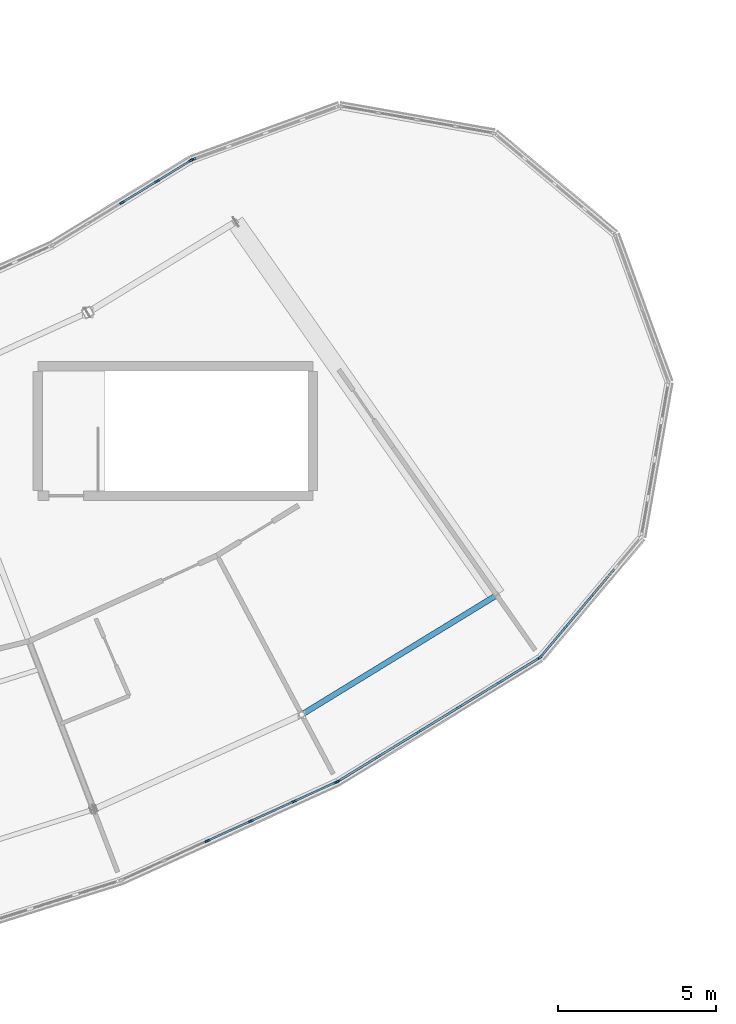
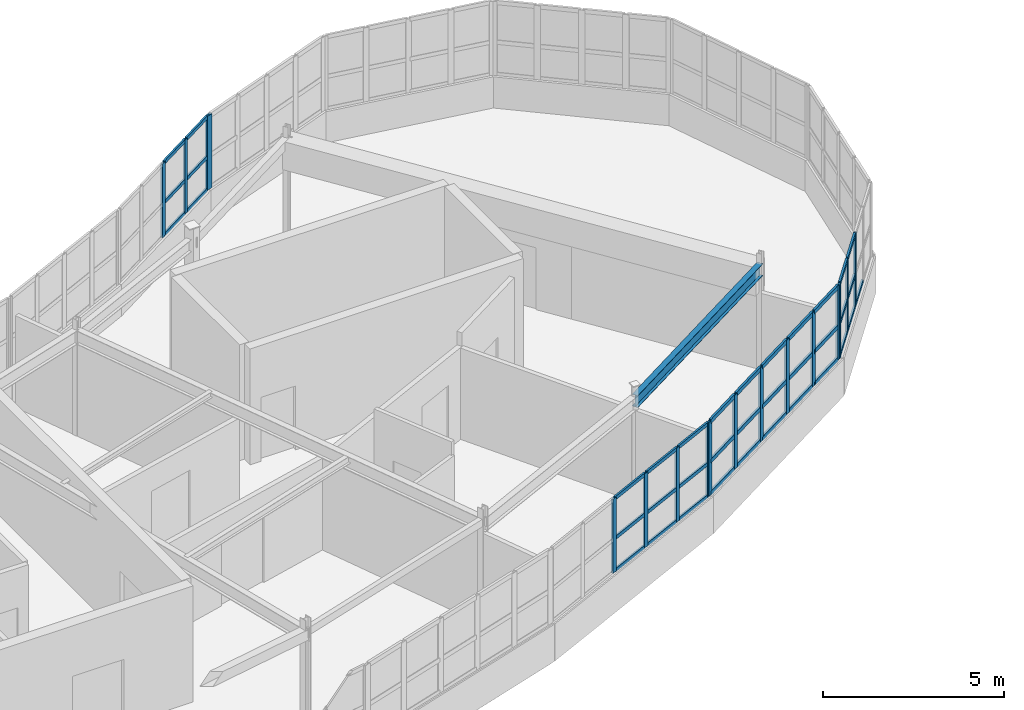
# One storey, part 28 of 79: 54 members, 1 beam, 5 elements without a shape of their own.
"""IFC4 building model written with IfcOpenShell, lengths in metres."""

from ifc_helpers import new_model, si_unit, direction, frame, origin, origin_2d, place, context, subcontext, project, spatial, rectangle, i_section, extrude, material, layer, layer_set, material_profile, profile_set, type_object, element, aggregate, save


model = new_model("IFC4")

# Units and contexts
model_context = context("Model", 3, precision=1e-05, world=origin(), true_north=direction((0.0, 1.0)))
body_context = subcontext(model_context, "Body", "Model", "MODEL_VIEW")
ifc_project = project(units=[si_unit("LENGTHUNIT", "METRE"), si_unit("AREAUNIT", "SQUARE_METRE"), si_unit("VOLUMEUNIT", "CUBIC_METRE"), si_unit("PLANEANGLEUNIT", "RADIAN"), si_unit("MASSUNIT", "GRAM", prefix="KILO")], contexts=[model_context])

# Site, building, storey
site_placement = place(None, origin())
site = spatial("IfcSite", under=ifc_project, at=site_placement, CompositionType="ELEMENT")
building_placement = place(site_placement, origin())
building = spatial("IfcBuilding", under=site, at=building_placement, Name="Tarnwether General Hospital", CompositionType="ELEMENT")
storey_placement = place(building_placement, frame((0.0, 0.0, 18.300048828125)))
storey = spatial("IfcBuildingStorey", under=building, at=storey_placement, Name="L04", CompositionType="ELEMENT", Elevation=18.300048828125)

# Beam
ifc_material_1 = material(Name="Steel Grade 350 (350 MPa)", Category="steel")
ifc_material_profile_1 = material_profile(ifc_material_1, i_section(OverallWidth=0.177978515625, OverallDepth=0.403076171875, WebThickness=0.007568359375, FlangeThickness=0.010986328125, at=origin_2d()), Name="410UB53.7")
ifc_profile_set_1 = profile_set([ifc_material_profile_1], Name="Steel Grade 350 (350 MPa)")
beam_type = type_object("IfcBeamType", Name="BM-SP2", PredefinedType="SPANDREL", material=ifc_profile_set_1)
beam_placement = place(storey_placement, frame((119.79296875, 10.72998046875, 3.33837890625), z_axis=(0.852678430503, 0.522436114902, 0.0), x_axis=(-0.522436114902, 0.852678430503, 0.0)))
element("IfcBeam", 1, at=beam_placement, inside=storey, type_object=beam_type, Name="Curved Ward SE Outer Spandrel BMG-L04-11979_1073-12596_1451-2162", PredefinedType="SPANDREL", context=body_context, shape_type="SweptSolid", body=[
    extrude(i_section(OverallWidth=0.177978515625, OverallDepth=0.403076171875, WebThickness=0.007568359375, FlangeThickness=0.010986328125, at=origin_2d()), origin(), (0.0, 0.0, 1.0), 7.22802734375),
])

# Curtain wall, members
ifc_material_2 = material(Name="Anodised aluminium", Category="aluminium")
ifc_layer_1 = layer(ifc_material_2, 0.159912109375)
ifc_layer_set_1 = layer_set([ifc_layer_1], Name="Anodised aluminium")
curtain_wall_type_1 = type_object("IfcCurtainWallType", Name="CW-09", PredefinedType="NOTDEFINED", material=ifc_layer_set_1)
curtain_wall_1_placement = place(storey_placement, origin())
curtain_wall_1 = element("IfcCurtainWall", 2, at=curtain_wall_1_placement, inside=storey, type_object=curtain_wall_type_1, Name="Curtain Wall CWG-L04-1209_86-0194", PredefinedType="NOTDEFINED")
ifc_material_3 = material(Name="Anodised aluminium", Category="aluminium")
ifc_material_profile_2 = material_profile(ifc_material_3, rectangle(XDim=0.06005859375, YDim=0.159912109375, at=origin_2d()), Name="ALU-MUL-60x160")
ifc_profile_set_2 = profile_set([ifc_material_profile_2], Name="Anodised aluminium")
member_type_1 = type_object("IfcMemberType", Name="CW-ML1", PredefinedType="MULLION", material=ifc_profile_set_2)
member_1_placement = place(storey_placement, frame((120.8916015625, 8.59765625, 1.050048828125), z_axis=(0.0, 0.0, 1.0), x_axis=(0.414694289316, -0.909960793886, 0.0)))
member_1 = element("IfcMember", 3, at=member_1_placement, type_object=member_type_1, Name="CW-09 mullion 1", PredefinedType="MULLION", context=body_context, shape_type="SweptSolid", body=[
    extrude(rectangle(XDim=0.06005859375, YDim=0.159912109375, at=origin_2d()), origin(), (0.0, 0.0, 1.0), 2.489990234375),
])
member_2_placement = place(storey_placement, frame((119.55029296875, 7.986083984375, 1.050048828125), z_axis=(0.0, 0.0, 1.0), x_axis=(0.414694289316, -0.909960793886, 0.0)))
member_2 = element("IfcMember", 4, at=member_2_placement, type_object=member_type_1, Name="CW-09 mullion 2", PredefinedType="MULLION", context=body_context, shape_type="SweptSolid", body=[
    extrude(rectangle(XDim=0.06005859375, YDim=0.159912109375, at=origin_2d()), origin(), (0.0, 0.0, 1.0), 2.489990234375),
])
member_3_placement = place(storey_placement, frame((118.181396484375, 7.3623046875, 1.050048828125), z_axis=(0.0, 0.0, 1.0), x_axis=(0.414694289316, -0.909960793886, 0.0)))
member_3 = element("IfcMember", 5, at=member_3_placement, type_object=member_type_1, Name="CW-09 mullion 3", PredefinedType="MULLION", context=body_context, shape_type="SweptSolid", body=[
    extrude(rectangle(XDim=0.06005859375, YDim=0.159912109375, at=origin_2d()), origin(), (0.0, 0.0, 1.0), 2.489990234375),
])
member_4_placement = place(storey_placement, frame((116.8125, 6.738525390625, 1.050048828125), z_axis=(0.0, 0.0, 1.0), x_axis=(0.414694289316, -0.909960793886, 0.0)))
member_4 = element("IfcMember", 6, at=member_4_placement, type_object=member_type_1, Name="CW-09 mullion 4", PredefinedType="MULLION", context=body_context, shape_type="SweptSolid", body=[
    extrude(rectangle(XDim=0.06005859375, YDim=0.159912109375, at=origin_2d()), origin(), (0.0, 0.0, 1.0), 2.489990234375),
])

ifc_material_4 = material(Name="Anodised aluminium", Category="aluminium")
ifc_layer_2 = layer(ifc_material_4, 0.159912109375)
ifc_layer_set_2 = layer_set([ifc_layer_2], Name="Anodised aluminium")
curtain_wall_type_2 = type_object("IfcCurtainWallType", Name="CW-03", PredefinedType="NOTDEFINED", material=ifc_layer_set_2)
curtain_wall_2_placement = place(storey_placement, origin())
curtain_wall_2 = element("IfcCurtainWall", 7, at=curtain_wall_2_placement, inside=storey, type_object=curtain_wall_type_2, Name="Curtain Wall CWG-L04-1119_256-0202", PredefinedType="NOTDEFINED")
member_5_placement = place(storey_placement, frame((114.113037109375, 26.91552734375, 1.050048828125), z_axis=(0.0, 0.0, 1.0), x_axis=(-0.522512231483, 0.852631789198, 0.0)))
member_5 = element("IfcMember", 8, at=member_5_placement, type_object=member_type_1, Name="CW-03 mullion 3", PredefinedType="MULLION", context=body_context, shape_type="SweptSolid", body=[
    extrude(rectangle(XDim=0.06005859375, YDim=0.159912109375, at=origin_2d()), origin(), (0.0, 0.0, 1.0), 2.489990234375),
])
member_6_placement = place(storey_placement, frame((115.216552734375, 27.591796875, 1.050048828125), z_axis=(0.0, 0.0, 1.0), x_axis=(-0.522512231483, 0.852631789198, 0.0)))
member_6 = element("IfcMember", 9, at=member_6_placement, type_object=member_type_1, Name="CW-03 mullion 4", PredefinedType="MULLION", context=body_context, shape_type="SweptSolid", body=[
    extrude(rectangle(XDim=0.06005859375, YDim=0.159912109375, at=origin_2d()), origin(), (0.0, 0.0, 1.0), 2.489990234375),
])
member_7_placement = place(storey_placement, frame((116.29443359375, 28.25244140625, 1.050048828125), z_axis=(0.0, 0.0, 1.0), x_axis=(-0.522512231483, 0.852631789198, 0.0)))
member_7 = element("IfcMember", 10, at=member_7_placement, type_object=member_type_1, Name="CW-03 mullion 5", PredefinedType="MULLION", context=body_context, shape_type="SweptSolid", body=[
    extrude(rectangle(XDim=0.06005859375, YDim=0.159912109375, at=origin_2d()), origin(), (0.0, 0.0, 1.0), 2.489990234375),
])

curtain_wall_3_placement = place(storey_placement, origin())
curtain_wall_3 = element("IfcCurtainWall", 11, at=curtain_wall_3_placement, inside=storey, type_object=curtain_wall_type_1, Name="Curtain Wall CWG-L04-1273_125-0195", PredefinedType="NOTDEFINED")
ifc_material_5 = material(Name="Anodised aluminium", Category="aluminium")
ifc_material_profile_3 = material_profile(ifc_material_5, rectangle(XDim=0.070068359375, YDim=0.179931640625, at=origin_2d()), Name="ALU-MUL-70x180")
ifc_profile_set_3 = profile_set([ifc_material_profile_3], Name="Anodised aluminium")
member_type_2 = type_object("IfcMemberType", Name="CW-ML2", PredefinedType="MULLION", material=ifc_profile_set_3)
member_8_placement = place(storey_placement, frame((127.30224609375, 12.521728515625, 1.050048828125), z_axis=(0.0, 0.0, 1.0), x_axis=(0.522509056361, -0.852633734977, 0.0)))
member_8 = element("IfcMember", 12, at=member_8_placement, type_object=member_type_2, Name="CW-09 mullion 1", PredefinedType="MULLION", context=body_context, shape_type="SweptSolid", body=[
    extrude(rectangle(XDim=0.070068359375, YDim=0.179931640625, at=origin_2d()), origin(), (0.0, 0.0, 1.0), 2.489990234375),
])
member_9_placement = place(storey_placement, frame((126.04931640625, 11.75390625, 1.050048828125), z_axis=(0.0, 0.0, 1.0), x_axis=(0.522509056361, -0.852633734977, 0.0)))
member_9 = element("IfcMember", 13, at=member_9_placement, type_object=member_type_2, Name="CW-09 mullion 2", PredefinedType="MULLION", context=body_context, shape_type="SweptSolid", body=[
    extrude(rectangle(XDim=0.070068359375, YDim=0.179931640625, at=origin_2d()), origin(), (0.0, 0.0, 1.0), 2.489990234375),
])
member_10_placement = place(storey_placement, frame((124.766845703125, 10.968017578125, 1.050048828125), z_axis=(0.0, 0.0, 1.0), x_axis=(0.522509056361, -0.852633734977, 0.0)))
member_10 = element("IfcMember", 14, at=member_10_placement, type_object=member_type_2, Name="CW-09 mullion 3", PredefinedType="MULLION", context=body_context, shape_type="SweptSolid", body=[
    extrude(rectangle(XDim=0.070068359375, YDim=0.179931640625, at=origin_2d()), origin(), (0.0, 0.0, 1.0), 2.489990234375),
])
member_11_placement = place(storey_placement, frame((123.484130859375, 10.181884765625, 1.050048828125), z_axis=(0.0, 0.0, 1.0), x_axis=(0.522509056361, -0.852633734977, 0.0)))
member_11 = element("IfcMember", 15, at=member_11_placement, type_object=member_type_2, Name="CW-09 mullion 4", PredefinedType="MULLION", context=body_context, shape_type="SweptSolid", body=[
    extrude(rectangle(XDim=0.070068359375, YDim=0.179931640625, at=origin_2d()), origin(), (0.0, 0.0, 1.0), 2.489990234375),
])
member_12_placement = place(storey_placement, frame((122.20166015625, 9.39599609375, 1.050048828125), z_axis=(0.0, 0.0, 1.0), x_axis=(0.522509056361, -0.852633734977, 0.0)))
member_12 = element("IfcMember", 16, at=member_12_placement, type_object=member_type_2, Name="CW-09 mullion 5", PredefinedType="MULLION", context=body_context, shape_type="SweptSolid", body=[
    extrude(rectangle(XDim=0.070068359375, YDim=0.179931640625, at=origin_2d()), origin(), (0.0, 0.0, 1.0), 2.489990234375),
])
member_13_placement = place(storey_placement, frame((120.94873046875, 8.628173828125, 1.050048828125), z_axis=(0.0, 0.0, 1.0), x_axis=(0.522509056361, -0.852633734977, 0.0)))
member_13 = element("IfcMember", 17, at=member_13_placement, type_object=member_type_2, Name="CW-09 mullion 6", PredefinedType="MULLION", context=body_context, shape_type="SweptSolid", body=[
    extrude(rectangle(XDim=0.070068359375, YDim=0.179931640625, at=origin_2d()), origin(), (0.0, 0.0, 1.0), 2.489990234375),
])

curtain_wall_4_placement = place(storey_placement, origin())
curtain_wall_4 = element("IfcCurtainWall", 18, at=curtain_wall_4_placement, inside=storey, type_object=curtain_wall_type_2, Name="Curtain Wall CWG-L04-1305_163-0196", PredefinedType="NOTDEFINED")
ifc_material_6 = material(Name="Anodised aluminium", Category="aluminium")
ifc_material_profile_4 = material_profile(ifc_material_6, rectangle(XDim=0.06494140625, YDim=0.169921875, at=origin_2d()), Name="ALU-MUL-65x170")
ifc_profile_set_4 = profile_set([ifc_material_profile_4], Name="Anodised aluminium")
member_type_3 = type_object("IfcMemberType", Name="CW-ML3", PredefinedType="MULLION", material=ifc_profile_set_4)
member_14_placement = place(storey_placement, frame((128.929443359375, 14.443603515625, 1.050048828125), z_axis=(0.0, 0.0, 1.0), x_axis=(0.765990176896, -0.64285227611, 0.0)))
member_14 = element("IfcMember", 19, at=member_14_placement, type_object=member_type_3, Name="CW-03 mullion 3", PredefinedType="MULLION", context=body_context, shape_type="SweptSolid", body=[
    extrude(rectangle(XDim=0.06494140625, YDim=0.169921875, at=origin_2d()), origin(), (0.0, 0.0, 1.0), 2.489990234375),
])
member_15_placement = place(storey_placement, frame((128.130859375, 13.49169921875, 1.050048828125), z_axis=(0.0, 0.0, 1.0), x_axis=(0.765990176896, -0.64285227611, 0.0)))
member_15 = element("IfcMember", 20, at=member_15_placement, type_object=member_type_3, Name="CW-03 mullion 4", PredefinedType="MULLION", context=body_context, shape_type="SweptSolid", body=[
    extrude(rectangle(XDim=0.06494140625, YDim=0.169921875, at=origin_2d()), origin(), (0.0, 0.0, 1.0), 2.489990234375),
])
member_16_placement = place(storey_placement, frame((127.352783203125, 12.56494140625, 1.050048828125), z_axis=(0.0, 0.0, 1.0), x_axis=(0.765990176896, -0.64285227611, 0.0)))
member_16 = element("IfcMember", 21, at=member_16_placement, type_object=member_type_3, Name="CW-03 mullion 5", PredefinedType="MULLION", context=body_context, shape_type="SweptSolid", body=[
    extrude(rectangle(XDim=0.06494140625, YDim=0.169921875, at=origin_2d()), origin(), (0.0, 0.0, 1.0), 2.489990234375),
])

# Curtain wall, member
curtain_wall_5_placement = place(storey_placement, origin())
curtain_wall_5 = element("IfcCurtainWall", 22, at=curtain_wall_5_placement, inside=storey, type_object=curtain_wall_type_2, Name="Curtain Wall CWG-L04-1163_283-0201", PredefinedType="NOTDEFINED")
ifc_material_7 = material(Name="Anodised aluminium", Category="aluminium")
ifc_material_profile_5 = material_profile(ifc_material_7, rectangle(XDim=0.080078125, YDim=0.199951171875, at=origin_2d()), Name="ALU-MUL-80x200")
ifc_profile_set_5 = profile_set([ifc_material_profile_5], Name="Anodised aluminium")
member_type_4 = type_object("IfcMemberType", Name="CW-ML4", PredefinedType="MULLION", material=ifc_profile_set_5)
member_17_placement = place(storey_placement, frame((116.357666015625, 28.28173828125, 1.050048828125), z_axis=(0.0, 0.0, 1.0), x_axis=(-0.342130850834, 0.939652319163, 0.0)))
member_17 = element("IfcMember", 23, at=member_17_placement, type_object=member_type_4, Name="CW-03 mullion 1", PredefinedType="MULLION", context=body_context, shape_type="SweptSolid", body=[
    extrude(rectangle(XDim=0.080078125, YDim=0.199951171875, at=origin_2d()), origin(), (0.0, 0.0, 1.0), 2.489990234375),
])
aggregate(curtain_wall_5, [member_17])

# Member
ifc_material_8 = material(Name="Anodised aluminium", Category="aluminium")
ifc_material_profile_6 = material_profile(ifc_material_8, rectangle(XDim=0.06005859375, YDim=0.1201171875, at=origin_2d()), Name="ALU-TRN-60x120")
ifc_profile_set_6 = profile_set([ifc_material_profile_6], Name="Anodised aluminium")
member_type_5 = type_object("IfcMemberType", Name="CW-TR1", PredefinedType="USERDEFINED", material=ifc_profile_set_6)
member_18_placement = place(storey_placement, frame((120.864501953125, 8.585205078125, 1.079833984375), z_axis=(-0.909934488555, -0.414752006069, 0.0), x_axis=(0.414752006069, -0.909934488555, 0.0)))
member_18 = element("IfcMember", 24, at=member_18_placement, type_object=member_type_5, Name="CW-09 transom 1.1", ObjectType="TRANSOM", PredefinedType="USERDEFINED", context=body_context, shape_type="SweptSolid", body=[
    extrude(rectangle(XDim=0.06005859375, YDim=0.1201171875, at=origin_2d()), origin(), (0.0, 0.0, 1.0), 1.41455078125),
])

member_19_placement = place(storey_placement, frame((120.864501953125, 8.585205078125, 2.17041015625), z_axis=(-0.909934488555, -0.414752006069, 0.0), x_axis=(0.414752006069, -0.909934488555, 0.0)))
member_19 = element("IfcMember", 25, at=member_19_placement, type_object=member_type_5, Name="CW-09 transom 1.2", ObjectType="TRANSOM", PredefinedType="USERDEFINED", context=body_context, shape_type="SweptSolid", body=[
    extrude(rectangle(XDim=0.06005859375, YDim=0.1201171875, at=origin_2d()), origin(), (0.0, 0.0, 1.0), 1.41455078125),
])

member_20_placement = place(storey_placement, frame((120.864501953125, 8.585205078125, 3.510009765625), z_axis=(-0.909934488555, -0.414752006069, 0.0), x_axis=(0.414752006069, -0.909934488555, 0.0)))
member_20 = element("IfcMember", 26, at=member_20_placement, type_object=member_type_5, Name="CW-09 transom 1.3", ObjectType="TRANSOM", PredefinedType="USERDEFINED", context=body_context, shape_type="SweptSolid", body=[
    extrude(rectangle(XDim=0.06005859375, YDim=0.1201171875, at=origin_2d()), origin(), (0.0, 0.0, 1.0), 1.41455078125),
])

member_21_placement = place(storey_placement, frame((119.52294921875, 7.973876953125, 1.079833984375), z_axis=(-0.909908604213, -0.41480878966, 0.0), x_axis=(0.41480878966, -0.909908604213, 0.0)))
member_21 = element("IfcMember", 27, at=member_21_placement, type_object=member_type_5, Name="CW-09 transom 2.1", ObjectType="TRANSOM", PredefinedType="USERDEFINED", context=body_context, shape_type="SweptSolid", body=[
    extrude(rectangle(XDim=0.06005859375, YDim=0.1201171875, at=origin_2d()), origin(), (0.0, 0.0, 1.0), 1.4443359375),
])

member_22_placement = place(storey_placement, frame((119.52294921875, 7.973876953125, 2.17041015625), z_axis=(-0.909908604213, -0.41480878966, 0.0), x_axis=(0.41480878966, -0.909908604213, 0.0)))
member_22 = element("IfcMember", 28, at=member_22_placement, type_object=member_type_5, Name="CW-09 transom 2.2", ObjectType="TRANSOM", PredefinedType="USERDEFINED", context=body_context, shape_type="SweptSolid", body=[
    extrude(rectangle(XDim=0.06005859375, YDim=0.1201171875, at=origin_2d()), origin(), (0.0, 0.0, 1.0), 1.4443359375),
])

member_23_placement = place(storey_placement, frame((119.52294921875, 7.973876953125, 3.510009765625), z_axis=(-0.909908604213, -0.41480878966, 0.0), x_axis=(0.41480878966, -0.909908604213, 0.0)))
member_23 = element("IfcMember", 29, at=member_23_placement, type_object=member_type_5, Name="CW-09 transom 2.3", ObjectType="TRANSOM", PredefinedType="USERDEFINED", context=body_context, shape_type="SweptSolid", body=[
    extrude(rectangle(XDim=0.06005859375, YDim=0.1201171875, at=origin_2d()), origin(), (0.0, 0.0, 1.0), 1.4443359375),
])

member_24_placement = place(storey_placement, frame((118.154052734375, 7.349853515625, 1.079833984375), z_axis=(-0.909972397692, -0.414668826219, 0.0), x_axis=(0.414668826219, -0.909972397692, 0.0)))
member_24 = element("IfcMember", 30, at=member_24_placement, type_object=member_type_5, Name="CW-09 transom 3.1", ObjectType="TRANSOM", PredefinedType="USERDEFINED", context=body_context, shape_type="SweptSolid", body=[
    extrude(rectangle(XDim=0.06005859375, YDim=0.1201171875, at=origin_2d()), origin(), (0.0, 0.0, 1.0), 1.4443359375),
])

member_25_placement = place(storey_placement, frame((118.154052734375, 7.349853515625, 2.17041015625), z_axis=(-0.909972397692, -0.414668826219, 0.0), x_axis=(0.414668826219, -0.909972397692, 0.0)))
member_25 = element("IfcMember", 31, at=member_25_placement, type_object=member_type_5, Name="CW-09 transom 3.2", ObjectType="TRANSOM", PredefinedType="USERDEFINED", context=body_context, shape_type="SweptSolid", body=[
    extrude(rectangle(XDim=0.06005859375, YDim=0.1201171875, at=origin_2d()), origin(), (0.0, 0.0, 1.0), 1.4443359375),
])

member_26_placement = place(storey_placement, frame((118.154052734375, 7.349853515625, 3.510009765625), z_axis=(-0.909972397692, -0.414668826219, 0.0), x_axis=(0.414668826219, -0.909972397692, 0.0)))
member_26 = element("IfcMember", 32, at=member_26_placement, type_object=member_type_5, Name="CW-09 transom 3.3", ObjectType="TRANSOM", PredefinedType="USERDEFINED", context=body_context, shape_type="SweptSolid", body=[
    extrude(rectangle(XDim=0.06005859375, YDim=0.1201171875, at=origin_2d()), origin(), (0.0, 0.0, 1.0), 1.4443359375),
])

aggregate(curtain_wall_1, [member_1, member_2, member_3, member_4, member_18, member_19, member_20, member_21, member_22, member_23, member_24, member_25, member_26])

member_27_placement = place(storey_placement, frame((114.138671875, 26.93115234375, 1.079833984375), z_axis=(0.852567134861, 0.522617719328, 0.0), x_axis=(-0.522617719328, 0.852567134861, 0.0)))
member_27 = element("IfcMember", 33, at=member_27_placement, type_object=member_type_5, Name="CW-03 transom 3.1", ObjectType="TRANSOM", PredefinedType="USERDEFINED", context=body_context, shape_type="SweptSolid", body=[
    extrude(rectangle(XDim=0.06005859375, YDim=0.1201171875, at=origin_2d()), origin(), (0.0, 0.0, 1.0), 1.234130859375),
])

member_28_placement = place(storey_placement, frame((114.138671875, 26.93115234375, 2.17041015625), z_axis=(0.852567134861, 0.522617719328, 0.0), x_axis=(-0.522617719328, 0.852567134861, 0.0)))
member_28 = element("IfcMember", 34, at=member_28_placement, type_object=member_type_5, Name="CW-03 transom 3.2", ObjectType="TRANSOM", PredefinedType="USERDEFINED", context=body_context, shape_type="SweptSolid", body=[
    extrude(rectangle(XDim=0.06005859375, YDim=0.1201171875, at=origin_2d()), origin(), (0.0, 0.0, 1.0), 1.234130859375),
])

member_29_placement = place(storey_placement, frame((114.138671875, 26.93115234375, 3.510009765625), z_axis=(0.852567134861, 0.522617719328, 0.0), x_axis=(-0.522617719328, 0.852567134861, 0.0)))
member_29 = element("IfcMember", 35, at=member_29_placement, type_object=member_type_5, Name="CW-03 transom 3.3", ObjectType="TRANSOM", PredefinedType="USERDEFINED", context=body_context, shape_type="SweptSolid", body=[
    extrude(rectangle(XDim=0.06005859375, YDim=0.1201171875, at=origin_2d()), origin(), (0.0, 0.0, 1.0), 1.234130859375),
])

member_30_placement = place(storey_placement, frame((115.2421875, 27.607421875, 1.079833984375), z_axis=(0.852624564874, 0.5225240199, 0.0), x_axis=(-0.5225240199, 0.852624564874, 0.0)))
member_30 = element("IfcMember", 36, at=member_30_placement, type_object=member_type_5, Name="CW-03 transom 4.1", ObjectType="TRANSOM", PredefinedType="USERDEFINED", context=body_context, shape_type="SweptSolid", body=[
    extrude(rectangle(XDim=0.06005859375, YDim=0.1201171875, at=origin_2d()), origin(), (0.0, 0.0, 1.0), 1.2041015625),
])

member_31_placement = place(storey_placement, frame((115.2421875, 27.607421875, 2.17041015625), z_axis=(0.852624564874, 0.5225240199, 0.0), x_axis=(-0.5225240199, 0.852624564874, 0.0)))
member_31 = element("IfcMember", 37, at=member_31_placement, type_object=member_type_5, Name="CW-03 transom 4.2", ObjectType="TRANSOM", PredefinedType="USERDEFINED", context=body_context, shape_type="SweptSolid", body=[
    extrude(rectangle(XDim=0.06005859375, YDim=0.1201171875, at=origin_2d()), origin(), (0.0, 0.0, 1.0), 1.2041015625),
])

member_32_placement = place(storey_placement, frame((115.2421875, 27.607421875, 3.510009765625), z_axis=(0.852624564874, 0.5225240199, 0.0), x_axis=(-0.5225240199, 0.852624564874, 0.0)))
member_32 = element("IfcMember", 38, at=member_32_placement, type_object=member_type_5, Name="CW-03 transom 4.3", ObjectType="TRANSOM", PredefinedType="USERDEFINED", context=body_context, shape_type="SweptSolid", body=[
    extrude(rectangle(XDim=0.06005859375, YDim=0.1201171875, at=origin_2d()), origin(), (0.0, 0.0, 1.0), 1.2041015625),
])

aggregate(curtain_wall_2, [member_5, member_6, member_7, member_27, member_28, member_29, member_30, member_31, member_32])

ifc_material_9 = material(Name="Anodised aluminium", Category="aluminium")
ifc_material_profile_7 = material_profile(ifc_material_9, rectangle(XDim=0.070068359375, YDim=0.139892578125, at=origin_2d()), Name="ALU-TRN-70x140")
ifc_profile_set_7 = profile_set([ifc_material_profile_7], Name="Anodised aluminium")
member_type_6 = type_object("IfcMemberType", Name="CW-TR2", PredefinedType="USERDEFINED", material=ifc_profile_set_7)
member_33_placement = place(storey_placement, frame((127.272216796875, 12.50341796875, 1.0849609375), z_axis=(-0.852573664934, -0.52260706641, 0.0), x_axis=(0.52260706641, -0.852573664934, 0.0)))
member_33 = element("IfcMember", 39, at=member_33_placement, type_object=member_type_6, Name="CW-09 transom 1.1", ObjectType="TRANSOM", PredefinedType="USERDEFINED", context=body_context, shape_type="SweptSolid", body=[
    extrude(rectangle(XDim=0.070068359375, YDim=0.139892578125, at=origin_2d()), origin(), (0.0, 0.0, 1.0), 1.399169921875),
])

member_34_placement = place(storey_placement, frame((127.272216796875, 12.50341796875, 2.17041015625), z_axis=(-0.852573664934, -0.52260706641, 0.0), x_axis=(0.52260706641, -0.852573664934, 0.0)))
member_34 = element("IfcMember", 40, at=member_34_placement, type_object=member_type_6, Name="CW-09 transom 1.2", ObjectType="TRANSOM", PredefinedType="USERDEFINED", context=body_context, shape_type="SweptSolid", body=[
    extrude(rectangle(XDim=0.070068359375, YDim=0.139892578125, at=origin_2d()), origin(), (0.0, 0.0, 1.0), 1.399169921875),
])

member_35_placement = place(storey_placement, frame((127.272216796875, 12.50341796875, 3.5048828125), z_axis=(-0.852573664934, -0.52260706641, 0.0), x_axis=(0.52260706641, -0.852573664934, 0.0)))
member_35 = element("IfcMember", 41, at=member_35_placement, type_object=member_type_6, Name="CW-09 transom 1.3", ObjectType="TRANSOM", PredefinedType="USERDEFINED", context=body_context, shape_type="SweptSolid", body=[
    extrude(rectangle(XDim=0.070068359375, YDim=0.139892578125, at=origin_2d()), origin(), (0.0, 0.0, 1.0), 1.399169921875),
])

member_36_placement = place(storey_placement, frame((126.01953125, 11.735595703125, 1.0849609375), z_axis=(-0.852679532957, -0.522434315561, 0.0), x_axis=(0.522434315561, -0.852679532957, 0.0)))
member_36 = element("IfcMember", 42, at=member_36_placement, type_object=member_type_6, Name="CW-09 transom 2.1", ObjectType="TRANSOM", PredefinedType="USERDEFINED", context=body_context, shape_type="SweptSolid", body=[
    extrude(rectangle(XDim=0.070068359375, YDim=0.139892578125, at=origin_2d()), origin(), (0.0, 0.0, 1.0), 1.43408203125),
])

member_37_placement = place(storey_placement, frame((126.01953125, 11.735595703125, 2.17041015625), z_axis=(-0.852679532957, -0.522434315561, 0.0), x_axis=(0.522434315561, -0.852679532957, 0.0)))
member_37 = element("IfcMember", 43, at=member_37_placement, type_object=member_type_6, Name="CW-09 transom 2.2", ObjectType="TRANSOM", PredefinedType="USERDEFINED", context=body_context, shape_type="SweptSolid", body=[
    extrude(rectangle(XDim=0.070068359375, YDim=0.139892578125, at=origin_2d()), origin(), (0.0, 0.0, 1.0), 1.43408203125),
])

member_38_placement = place(storey_placement, frame((126.01953125, 11.735595703125, 3.5048828125), z_axis=(-0.852679532957, -0.522434315561, 0.0), x_axis=(0.522434315561, -0.852679532957, 0.0)))
member_38 = element("IfcMember", 44, at=member_38_placement, type_object=member_type_6, Name="CW-09 transom 2.3", ObjectType="TRANSOM", PredefinedType="USERDEFINED", context=body_context, shape_type="SweptSolid", body=[
    extrude(rectangle(XDim=0.070068359375, YDim=0.139892578125, at=origin_2d()), origin(), (0.0, 0.0, 1.0), 1.43408203125),
])

member_39_placement = place(storey_placement, frame((124.737060546875, 10.94970703125, 1.0849609375), z_axis=(-0.85260369875, -0.522558066513, 0.0), x_axis=(0.522558066513, -0.85260369875, 0.0)))
member_39 = element("IfcMember", 45, at=member_39_placement, type_object=member_type_6, Name="CW-09 transom 3.1", ObjectType="TRANSOM", PredefinedType="USERDEFINED", context=body_context, shape_type="SweptSolid", body=[
    extrude(rectangle(XDim=0.070068359375, YDim=0.139892578125, at=origin_2d()), origin(), (0.0, 0.0, 1.0), 1.434326171875),
])

member_40_placement = place(storey_placement, frame((124.737060546875, 10.94970703125, 2.17041015625), z_axis=(-0.85260369875, -0.522558066513, 0.0), x_axis=(0.522558066513, -0.85260369875, 0.0)))
member_40 = element("IfcMember", 46, at=member_40_placement, type_object=member_type_6, Name="CW-09 transom 3.2", ObjectType="TRANSOM", PredefinedType="USERDEFINED", context=body_context, shape_type="SweptSolid", body=[
    extrude(rectangle(XDim=0.070068359375, YDim=0.139892578125, at=origin_2d()), origin(), (0.0, 0.0, 1.0), 1.434326171875),
])

member_41_placement = place(storey_placement, frame((124.737060546875, 10.94970703125, 3.5048828125), z_axis=(-0.85260369875, -0.522558066513, 0.0), x_axis=(0.522558066513, -0.85260369875, 0.0)))
member_41 = element("IfcMember", 47, at=member_41_placement, type_object=member_type_6, Name="CW-09 transom 3.3", ObjectType="TRANSOM", PredefinedType="USERDEFINED", context=body_context, shape_type="SweptSolid", body=[
    extrude(rectangle(XDim=0.070068359375, YDim=0.139892578125, at=origin_2d()), origin(), (0.0, 0.0, 1.0), 1.434326171875),
])

member_42_placement = place(storey_placement, frame((123.454345703125, 10.163818359375, 1.0849609375), z_axis=(-0.85260369875, -0.522558066513, 0.0), x_axis=(0.522558066513, -0.85260369875, 0.0)))
member_42 = element("IfcMember", 48, at=member_42_placement, type_object=member_type_6, Name="CW-09 transom 4.1", ObjectType="TRANSOM", PredefinedType="USERDEFINED", context=body_context, shape_type="SweptSolid", body=[
    extrude(rectangle(XDim=0.070068359375, YDim=0.139892578125, at=origin_2d()), origin(), (0.0, 0.0, 1.0), 1.434326171875),
])

member_43_placement = place(storey_placement, frame((123.454345703125, 10.163818359375, 2.17041015625), z_axis=(-0.85260369875, -0.522558066513, 0.0), x_axis=(0.522558066513, -0.85260369875, 0.0)))
member_43 = element("IfcMember", 49, at=member_43_placement, type_object=member_type_6, Name="CW-09 transom 4.2", ObjectType="TRANSOM", PredefinedType="USERDEFINED", context=body_context, shape_type="SweptSolid", body=[
    extrude(rectangle(XDim=0.070068359375, YDim=0.139892578125, at=origin_2d()), origin(), (0.0, 0.0, 1.0), 1.434326171875),
])

member_44_placement = place(storey_placement, frame((123.454345703125, 10.163818359375, 3.5048828125), z_axis=(-0.85260369875, -0.522558066513, 0.0), x_axis=(0.522558066513, -0.85260369875, 0.0)))
member_44 = element("IfcMember", 50, at=member_44_placement, type_object=member_type_6, Name="CW-09 transom 4.3", ObjectType="TRANSOM", PredefinedType="USERDEFINED", context=body_context, shape_type="SweptSolid", body=[
    extrude(rectangle(XDim=0.070068359375, YDim=0.139892578125, at=origin_2d()), origin(), (0.0, 0.0, 1.0), 1.434326171875),
])

member_45_placement = place(storey_placement, frame((122.171875, 9.377685546875, 1.0849609375), z_axis=(-0.852621311554, -0.522529328444, 0.0), x_axis=(0.522529328444, -0.852621311554, 0.0)))
member_45 = element("IfcMember", 51, at=member_45_placement, type_object=member_type_6, Name="CW-09 transom 5.1", ObjectType="TRANSOM", PredefinedType="USERDEFINED", context=body_context, shape_type="SweptSolid", body=[
    extrude(rectangle(XDim=0.070068359375, YDim=0.139892578125, at=origin_2d()), origin(), (0.0, 0.0, 1.0), 1.3994140625),
])

member_46_placement = place(storey_placement, frame((122.171875, 9.377685546875, 2.17041015625), z_axis=(-0.852621311554, -0.522529328444, 0.0), x_axis=(0.522529328444, -0.852621311554, 0.0)))
member_46 = element("IfcMember", 52, at=member_46_placement, type_object=member_type_6, Name="CW-09 transom 5.2", ObjectType="TRANSOM", PredefinedType="USERDEFINED", context=body_context, shape_type="SweptSolid", body=[
    extrude(rectangle(XDim=0.070068359375, YDim=0.139892578125, at=origin_2d()), origin(), (0.0, 0.0, 1.0), 1.3994140625),
])

member_47_placement = place(storey_placement, frame((122.171875, 9.377685546875, 3.5048828125), z_axis=(-0.852621311554, -0.522529328444, 0.0), x_axis=(0.522529328444, -0.852621311554, 0.0)))
member_47 = element("IfcMember", 53, at=member_47_placement, type_object=member_type_6, Name="CW-09 transom 5.3", ObjectType="TRANSOM", PredefinedType="USERDEFINED", context=body_context, shape_type="SweptSolid", body=[
    extrude(rectangle(XDim=0.070068359375, YDim=0.139892578125, at=origin_2d()), origin(), (0.0, 0.0, 1.0), 1.3994140625),
])

aggregate(curtain_wall_3, [member_8, member_9, member_10, member_11, member_12, member_13, member_33, member_34, member_35, member_36, member_37, member_38, member_39, member_40, member_41, member_42, member_43, member_44, member_45, member_46, member_47])

ifc_material_10 = material(Name="Anodised aluminium", Category="aluminium")
ifc_material_profile_8 = material_profile(ifc_material_10, rectangle(XDim=0.06494140625, YDim=0.1298828125, at=origin_2d()), Name="ALU-TRN-65x130")
ifc_profile_set_8 = profile_set([ifc_material_profile_8], Name="Anodised aluminium")
member_type_7 = type_object("IfcMemberType", Name="CW-TR3", PredefinedType="USERDEFINED", material=ifc_profile_set_8)
member_48_placement = place(storey_placement, frame((129.707275390625, 15.370361328125, 1.08251953125), z_axis=(-0.642832141434, -0.766007074341, 0.0), x_axis=(0.766007074341, -0.642832141434, 0.0)))
member_48 = element("IfcMember", 54, at=member_48_placement, type_object=member_type_7, Name="CW-03 transom 2.1", ObjectType="TRANSOM", PredefinedType="USERDEFINED", context=body_context, shape_type="SweptSolid", body=[
    extrude(rectangle(XDim=0.06494140625, YDim=0.1298828125, at=origin_2d()), origin(), (0.0, 0.0, 1.0), 1.17724609375),
])

member_49_placement = place(storey_placement, frame((128.90869140625, 14.418701171875, 1.08251953125), z_axis=(-0.642851701012, -0.765990659542, 0.0), x_axis=(0.765990659542, -0.642851701012, 0.0)))
member_49 = element("IfcMember", 55, at=member_49_placement, type_object=member_type_7, Name="CW-03 transom 3.1", ObjectType="TRANSOM", PredefinedType="USERDEFINED", context=body_context, shape_type="SweptSolid", body=[
    extrude(rectangle(XDim=0.06494140625, YDim=0.1298828125, at=origin_2d()), origin(), (0.0, 0.0, 1.0), 1.177734375),
])

member_50_placement = place(storey_placement, frame((128.90869140625, 14.418701171875, 2.17041015625), z_axis=(-0.642851701012, -0.765990659542, 0.0), x_axis=(0.765990659542, -0.642851701012, 0.0)))
member_50 = element("IfcMember", 56, at=member_50_placement, type_object=member_type_7, Name="CW-03 transom 3.2", ObjectType="TRANSOM", PredefinedType="USERDEFINED", context=body_context, shape_type="SweptSolid", body=[
    extrude(rectangle(XDim=0.06494140625, YDim=0.1298828125, at=origin_2d()), origin(), (0.0, 0.0, 1.0), 1.177734375),
])

member_51_placement = place(storey_placement, frame((128.90869140625, 14.418701171875, 3.507568359375), z_axis=(-0.642851701012, -0.765990659542, 0.0), x_axis=(0.765990659542, -0.642851701012, 0.0)))
member_51 = element("IfcMember", 57, at=member_51_placement, type_object=member_type_7, Name="CW-03 transom 3.3", ObjectType="TRANSOM", PredefinedType="USERDEFINED", context=body_context, shape_type="SweptSolid", body=[
    extrude(rectangle(XDim=0.06494140625, YDim=0.1298828125, at=origin_2d()), origin(), (0.0, 0.0, 1.0), 1.177734375),
])

member_52_placement = place(storey_placement, frame((128.10986328125, 13.466796875, 1.08251953125), z_axis=(-0.64290699353, -0.765944252325, 0.0), x_axis=(0.765944252325, -0.64290699353, 0.0)))
member_52 = element("IfcMember", 58, at=member_52_placement, type_object=member_type_7, Name="CW-03 transom 4.1", ObjectType="TRANSOM", PredefinedType="USERDEFINED", context=body_context, shape_type="SweptSolid", body=[
    extrude(rectangle(XDim=0.06494140625, YDim=0.1298828125, at=origin_2d()), origin(), (0.0, 0.0, 1.0), 1.14501953125),
])

member_53_placement = place(storey_placement, frame((128.10986328125, 13.466796875, 2.17041015625), z_axis=(-0.64290699353, -0.765944252325, 0.0), x_axis=(0.765944252325, -0.64290699353, 0.0)))
member_53 = element("IfcMember", 59, at=member_53_placement, type_object=member_type_7, Name="CW-03 transom 4.2", ObjectType="TRANSOM", PredefinedType="USERDEFINED", context=body_context, shape_type="SweptSolid", body=[
    extrude(rectangle(XDim=0.06494140625, YDim=0.1298828125, at=origin_2d()), origin(), (0.0, 0.0, 1.0), 1.14501953125),
])

member_54_placement = place(storey_placement, frame((128.10986328125, 13.466796875, 3.507568359375), z_axis=(-0.64290699353, -0.765944252325, 0.0), x_axis=(0.765944252325, -0.64290699353, 0.0)))
member_54 = element("IfcMember", 60, at=member_54_placement, type_object=member_type_7, Name="CW-03 transom 4.3", ObjectType="TRANSOM", PredefinedType="USERDEFINED", context=body_context, shape_type="SweptSolid", body=[
    extrude(rectangle(XDim=0.06494140625, YDim=0.1298828125, at=origin_2d()), origin(), (0.0, 0.0, 1.0), 1.14501953125),
])

aggregate(curtain_wall_4, [member_14, member_15, member_16, member_48, member_49, member_50, member_51, member_52, member_53, member_54])

save(model, "model.ifc")
